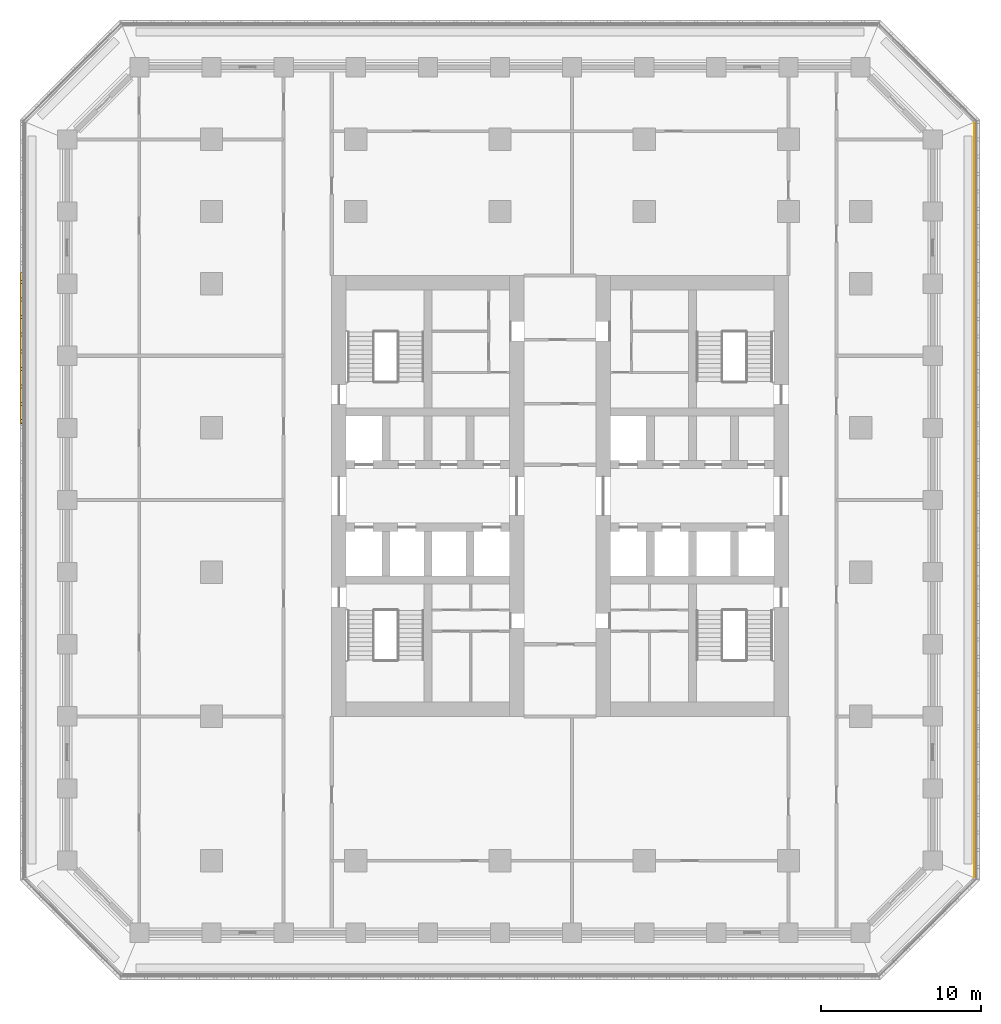
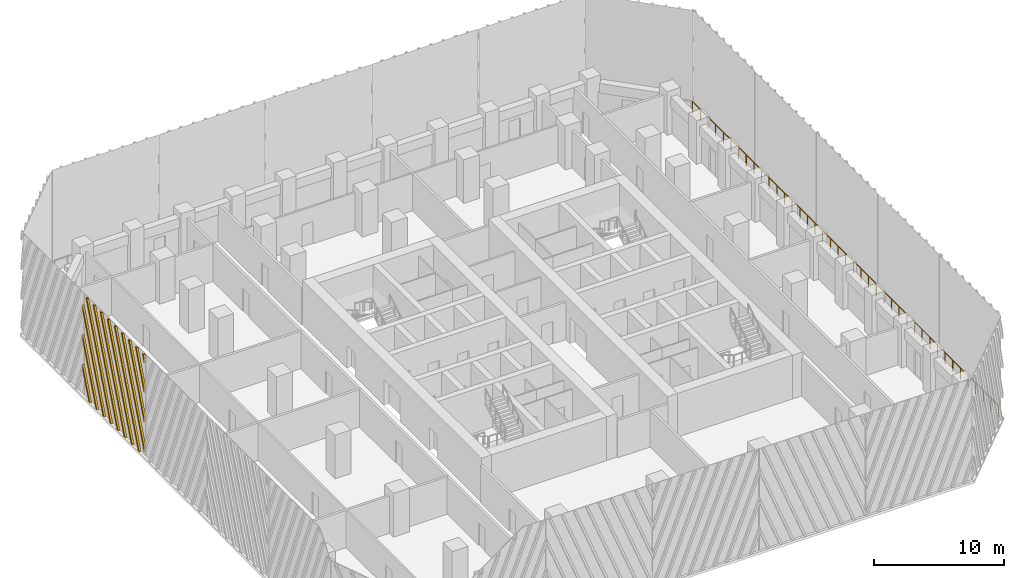
# One storey, part 12 of 17: 1 railing, 1 shading device.
"""IFC4 building model written with IfcOpenShell, lengths in metres."""

from ifc_helpers import new_model, si_unit, direction, frame, origin, origin_2d, place, context, subcontext, project, spatial, polyline, circle, outline, extrude, source, transform, mapped, material, type_object, element, save


model = new_model("IFC4")

# Units and contexts
model_context = context("Model", 3, precision=1e-05, world=origin(), true_north=direction((0.0, 1.0)))
body_context = subcontext(model_context, "Body", "Model", "MODEL_VIEW")
ifc_project = project(units=[si_unit("LENGTHUNIT", "METRE"), si_unit("AREAUNIT", "SQUARE_METRE"), si_unit("VOLUMEUNIT", "CUBIC_METRE"), si_unit("PLANEANGLEUNIT", "RADIAN"), si_unit("MASSUNIT", "GRAM", prefix="KILO")], contexts=[model_context])

# Site, building, storey
site_placement = place(None, origin())
site = spatial("IfcSite", under=ifc_project, at=site_placement, CompositionType="ELEMENT")
building_placement = place(site_placement, origin())
building = spatial("IfcBuilding", under=site, at=building_placement, Name="Corbel Stack Research Tower", CompositionType="ELEMENT")
storey_placement = place(building_placement, frame((0.0, 0.0, 141.300048828125)))
storey = spatial("IfcBuildingStorey", under=building, at=storey_placement, Name="L32", CompositionType="ELEMENT", Elevation=141.300048828125)

# Railing
ifc_material_1 = material(Name="Powder-coated steel guard", Category="steel")
railing_type = type_object("IfcRailingType", Name="Steel and glass guard 1100", PredefinedType="GUARDRAIL", material=ifc_material_1)
railing_placement = place(storey_placement, frame((29.60009765625, -19.00537109375, 0.0)))
element("IfcRailing", 1, at=railing_placement, inside=storey, type_object=railing_type, Name="Loggia guard L32 E", PredefinedType="GUARDRAIL", context=body_context, shape_type="SweptSolid", body=[
    extrude(circle(Radius=0.02392578125, at=origin_2d()), frame((0.0, 0.0, 1.076171875), z_axis=(0.0, 1.0, 0.0), x_axis=(-1.0, 0.0, 0.0)), (0.0, 0.0, 1.0), 47.0107421875),
    extrude(circle(Radius=0.02099609375, at=origin_2d()), origin(), (0.0, 0.0, 1.0), 1.052001953125),
    extrude(circle(Radius=0.02099609375, at=origin_2d()), frame((0.0, 1.17529296875, 0.0)), (0.0, 0.0, 1.0), 1.052001953125),
    extrude(circle(Radius=0.02099609375, at=origin_2d()), frame((0.0, 2.3505859375, 0.0)), (0.0, 0.0, 1.0), 1.052001953125),
    extrude(circle(Radius=0.02099609375, at=origin_2d()), frame((0.0, 3.52587890625, 0.0)), (0.0, 0.0, 1.0), 1.052001953125),
    extrude(circle(Radius=0.02099609375, at=origin_2d()), frame((0.0, 4.701171875, 0.0)), (0.0, 0.0, 1.0), 1.052001953125),
    extrude(circle(Radius=0.02099609375, at=origin_2d()), frame((0.0, 5.87646484375, 0.0)), (0.0, 0.0, 1.0), 1.052001953125),
    extrude(circle(Radius=0.02099609375, at=origin_2d()), frame((0.0, 7.051513671875, 0.0)), (0.0, 0.0, 1.0), 1.052001953125),
    extrude(circle(Radius=0.02099609375, at=origin_2d()), frame((0.0, 8.226806640625, 0.0)), (0.0, 0.0, 1.0), 1.052001953125),
    extrude(circle(Radius=0.02099609375, at=origin_2d()), frame((0.0, 9.402099609375, 0.0)), (0.0, 0.0, 1.0), 1.052001953125),
    extrude(circle(Radius=0.02099609375, at=origin_2d()), frame((0.0, 10.577392578125, 0.0)), (0.0, 0.0, 1.0), 1.052001953125),
    extrude(circle(Radius=0.02099609375, at=origin_2d()), frame((0.0, 11.752685546875, 0.0)), (0.0, 0.0, 1.0), 1.052001953125),
    extrude(circle(Radius=0.02099609375, at=origin_2d()), frame((0.0, 12.927978515625, 0.0)), (0.0, 0.0, 1.0), 1.052001953125),
    extrude(circle(Radius=0.02099609375, at=origin_2d()), frame((0.0, 14.103271484375, 0.0)), (0.0, 0.0, 1.0), 1.052001953125),
    extrude(circle(Radius=0.02099609375, at=origin_2d()), frame((0.0, 15.278564453125, 0.0)), (0.0, 0.0, 1.0), 1.052001953125),
    extrude(circle(Radius=0.02099609375, at=origin_2d()), frame((0.0, 16.453857421875, 0.0)), (0.0, 0.0, 1.0), 1.052001953125),
    extrude(circle(Radius=0.02099609375, at=origin_2d()), frame((0.0, 17.62890625, 0.0)), (0.0, 0.0, 1.0), 1.052001953125),
    extrude(circle(Radius=0.02099609375, at=origin_2d()), frame((0.0, 18.80419921875, 0.0)), (0.0, 0.0, 1.0), 1.052001953125),
    extrude(circle(Radius=0.02099609375, at=origin_2d()), frame((0.0, 19.9794921875, 0.0)), (0.0, 0.0, 1.0), 1.052001953125),
    extrude(circle(Radius=0.02099609375, at=origin_2d()), frame((0.0, 21.15478515625, 0.0)), (0.0, 0.0, 1.0), 1.052001953125),
    extrude(circle(Radius=0.02099609375, at=origin_2d()), frame((0.0, 22.330078125, 0.0)), (0.0, 0.0, 1.0), 1.052001953125),
    extrude(circle(Radius=0.02099609375, at=origin_2d()), frame((0.0, 23.50537109375, 0.0)), (0.0, 0.0, 1.0), 1.052001953125),
    extrude(circle(Radius=0.02099609375, at=origin_2d()), frame((0.0, 24.6806640625, 0.0)), (0.0, 0.0, 1.0), 1.052001953125),
    extrude(circle(Radius=0.02099609375, at=origin_2d()), frame((0.0, 25.85595703125, 0.0)), (0.0, 0.0, 1.0), 1.052001953125),
    extrude(circle(Radius=0.02099609375, at=origin_2d()), frame((0.0, 27.03125, 0.0)), (0.0, 0.0, 1.0), 1.052001953125),
    extrude(circle(Radius=0.02099609375, at=origin_2d()), frame((0.0, 28.20654296875, 0.0)), (0.0, 0.0, 1.0), 1.052001953125),
    extrude(circle(Radius=0.02099609375, at=origin_2d()), frame((0.0, 29.3818359375, 0.0)), (0.0, 0.0, 1.0), 1.052001953125),
    extrude(circle(Radius=0.02099609375, at=origin_2d()), frame((0.0, 30.556884765625, 0.0)), (0.0, 0.0, 1.0), 1.052001953125),
    extrude(circle(Radius=0.02099609375, at=origin_2d()), frame((0.0, 31.732177734375, 0.0)), (0.0, 0.0, 1.0), 1.052001953125),
    extrude(circle(Radius=0.02099609375, at=origin_2d()), frame((0.0, 32.907470703125, 0.0)), (0.0, 0.0, 1.0), 1.052001953125),
    extrude(circle(Radius=0.02099609375, at=origin_2d()), frame((0.0, 34.082763671875, 0.0)), (0.0, 0.0, 1.0), 1.052001953125),
    extrude(circle(Radius=0.02099609375, at=origin_2d()), frame((0.0, 35.258056640625, 0.0)), (0.0, 0.0, 1.0), 1.052001953125),
    extrude(circle(Radius=0.02099609375, at=origin_2d()), frame((0.0, 36.433349609375, 0.0)), (0.0, 0.0, 1.0), 1.052001953125),
    extrude(circle(Radius=0.02099609375, at=origin_2d()), frame((0.0, 37.608642578125, 0.0)), (0.0, 0.0, 1.0), 1.052001953125),
    extrude(circle(Radius=0.02099609375, at=origin_2d()), frame((0.0, 38.783935546875, 0.0)), (0.0, 0.0, 1.0), 1.052001953125),
    extrude(circle(Radius=0.02099609375, at=origin_2d()), frame((0.0, 39.959228515625, 0.0)), (0.0, 0.0, 1.0), 1.052001953125),
    extrude(circle(Radius=0.02099609375, at=origin_2d()), frame((0.0, 41.13427734375, 0.0)), (0.0, 0.0, 1.0), 1.052001953125),
    extrude(circle(Radius=0.02099609375, at=origin_2d()), frame((0.0, 42.3095703125, 0.0)), (0.0, 0.0, 1.0), 1.052001953125),
    extrude(circle(Radius=0.02099609375, at=origin_2d()), frame((0.0, 43.48486328125, 0.0)), (0.0, 0.0, 1.0), 1.052001953125),
    extrude(circle(Radius=0.02099609375, at=origin_2d()), frame((0.0, 44.66015625, 0.0)), (0.0, 0.0, 1.0), 1.052001953125),
    extrude(circle(Radius=0.02099609375, at=origin_2d()), frame((0.0, 45.83544921875, 0.0)), (0.0, 0.0, 1.0), 1.052001953125),
    extrude(circle(Radius=0.02099609375, at=origin_2d()), frame((0.0, 47.0107421875, 0.0)), (0.0, 0.0, 1.0), 1.052001953125),
])

# Shading device
ifc_material_2 = material(Name="Precast terracotta", Category="masonry")
shading_device_type = type_object("IfcShadingDeviceType", Name="Terracotta screen panel", PredefinedType="USERDEFINED", material=ifc_material_2)
shared_shape = source(origin(), body_context, "Body", "SweptSolid", [
    extrude(outline(polyline([(1.14453125, 0.0), (0.0, 2.930419921875), (0.0, 2.44384765625), (0.95458984375, 0.0), (1.14453125, 0.0)])), frame((0.0, 0.0, 0.0), z_axis=(0.0, -1.0, 0.0), x_axis=(1.0, 0.0, 0.0)), (0.0, 0.0, 1.0), 0.179931640625),
    extrude(outline(polyline([(2.22900390625, 0.0), (0.0, 5.707763671875), (0.0, 5.22119140625), (2.0390625, 0.0), (2.22900390625, 0.0)])), frame((0.0, 0.0, 0.0), z_axis=(0.0, -1.0, 0.0), x_axis=(1.0, 0.0, 0.0)), (0.0, 0.0, 1.0), 0.179931640625),
    extrude(outline(polyline([(3.313720703125, 0.0), (0.0, 8.485107421875), (0.0, 7.99853515625), (3.123779296875, 0.0), (3.313720703125, 0.0)])), frame((0.0, 0.0, 0.0), z_axis=(0.0, -1.0, 0.0), x_axis=(1.0, 0.0, 0.0)), (0.0, 0.0, 1.0), 0.179931640625),
    extrude(outline(polyline([(4.3984375, 0.0), (0.688232421875, 9.5), (0.498291015625, 9.5), (4.20849609375, 0.0), (4.3984375, 0.0)])), frame((0.0, 0.0, 0.0), z_axis=(0.0, -1.0, 0.0), x_axis=(1.0, 0.0, 0.0)), (0.0, 0.0, 1.0), 0.179931640625),
    extrude(outline(polyline([(5.483154296875, 0.0), (1.77294921875, 9.5), (1.5830078125, 9.5), (5.293212890625, 0.0), (5.483154296875, 0.0)])), frame((0.0, 0.0, 0.0), z_axis=(0.0, -1.0, 0.0), x_axis=(1.0, 0.0, 0.0)), (0.0, 0.0, 1.0), 0.179931640625),
    extrude(outline(polyline([(6.56787109375, 0.0), (2.857666015625, 9.5), (2.66748046875, 9.5), (6.377685546875, 0.0), (6.56787109375, 0.0)])), frame((0.0, 0.0, 0.0), z_axis=(0.0, -1.0, 0.0), x_axis=(1.0, 0.0, 0.0)), (0.0, 0.0, 1.0), 0.179931640625),
    extrude(outline(polyline([(7.652587890625, 0.0), (3.9423828125, 9.5), (3.752197265625, 9.5), (7.46240234375, 0.0), (7.652587890625, 0.0)])), frame((0.0, 0.0, 0.0), z_axis=(0.0, -1.0, 0.0), x_axis=(1.0, 0.0, 0.0)), (0.0, 0.0, 1.0), 0.179931640625),
    extrude(outline(polyline([(8.737060546875, 0.0), (5.02685546875, 9.5), (4.8369140625, 9.5), (8.547119140625, 0.0), (8.737060546875, 0.0)])), frame((0.0, 0.0, 0.0), z_axis=(0.0, -1.0, 0.0), x_axis=(1.0, 0.0, 0.0)), (0.0, 0.0, 1.0), 0.179931640625),
    extrude(outline(polyline([(6.111572265625, 9.5), (5.921630859375, 9.5), (9.45556640625, 0.451171875), (9.45556640625, 0.9375), (6.111572265625, 9.5)])), frame((0.0, 0.0, 0.0), z_axis=(0.0, -1.0, 0.0), x_axis=(1.0, 0.0, 0.0)), (0.0, 0.0, 1.0), 0.179931640625),
    extrude(outline(polyline([(7.1962890625, 9.5), (7.00634765625, 9.5), (9.45556640625, 3.228515625), (9.45556640625, 3.71484375), (7.1962890625, 9.5)])), frame((0.0, 0.0, 0.0), z_axis=(0.0, -1.0, 0.0), x_axis=(1.0, 0.0, 0.0)), (0.0, 0.0, 1.0), 0.179931640625),
    extrude(outline(polyline([(8.281005859375, 9.5), (8.0908203125, 9.5), (9.45556640625, 6.005615234375), (9.45556640625, 6.4921875), (8.281005859375, 9.5)])), frame((0.0, 0.0, 0.0), z_axis=(0.0, -1.0, 0.0), x_axis=(1.0, 0.0, 0.0)), (0.0, 0.0, 1.0), 0.179931640625),
    extrude(outline(polyline([(9.365478515625, 9.5), (9.175537109375, 9.5), (9.45556640625, 8.782958984375), (9.45556640625, 9.26953125), (9.365478515625, 9.5)])), frame((0.0, 0.0, 0.0), z_axis=(0.0, -1.0, 0.0), x_axis=(1.0, 0.0, 0.0)), (0.0, 0.0, 1.0), 0.179931640625),
])
shading_device_placement = place(storey_placement, frame((-29.75, 18.68359375, 0.0), z_axis=(0.0, 0.0, 1.0), x_axis=(0.0, -1.0, 0.0)))
element("IfcShadingDevice", 2, at=shading_device_placement, inside=storey, type_object=shading_device_type, Name="Terracotta screen L32 W2", ObjectType="SCREEN", PredefinedType="USERDEFINED", context=body_context, shape_type="MappedRepresentation", body=[
    mapped(shared_shape, transform((0.0, 0.0, 0.0))),
])

save(model, "model.ifc")
